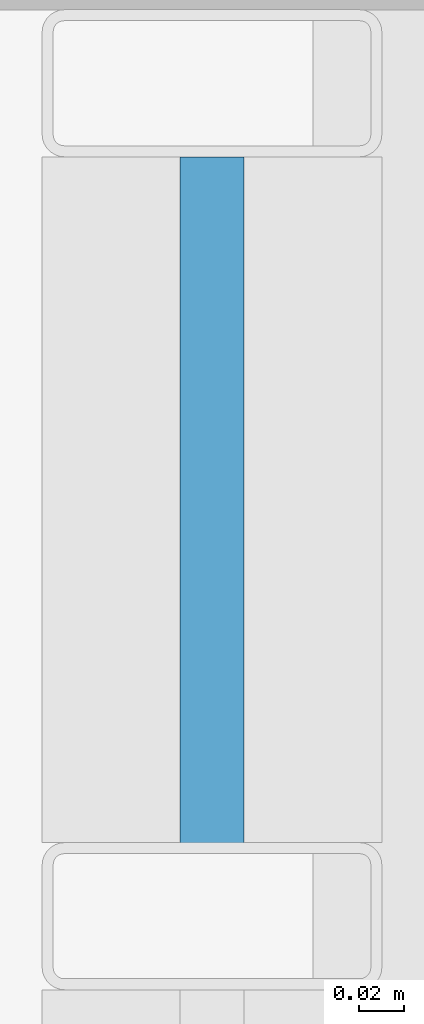
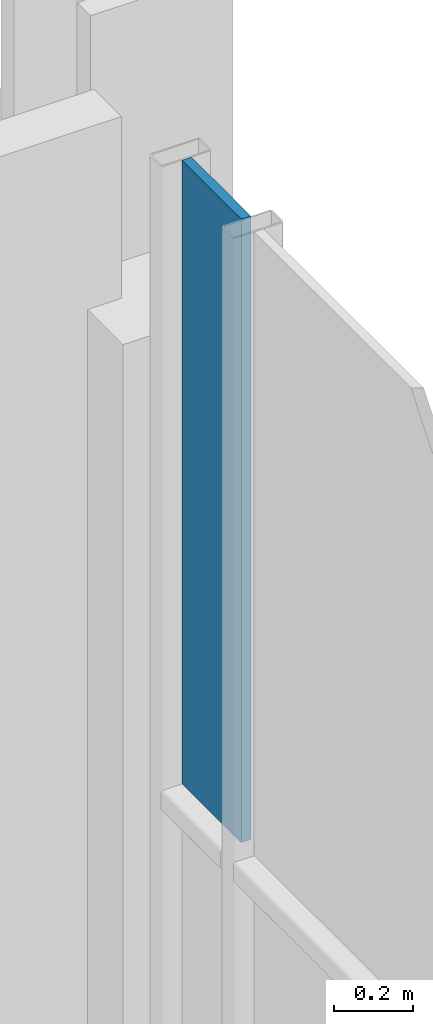
# One storey, part 28 of 41: 1 plate, 1 element without a shape of its own.
"""IFC4 building model written with IfcOpenShell, lengths in metres."""

import ifcopenshell
import ifcopenshell.guid

model = None  # the IFC model being written
_history = None  # IfcOwnerHistory: only IFC2X3 demands one
_inside = {}  # id of a spatial element -> (the spatial element, [elements in it])
_under = {}  # id of a project, library or spatial element -> (it, [spatial elements below it])
_declared = {}  # id of a project -> (the project, [libraries it declares])
_typed = {}  # id of a type object -> (the type object, [elements of that type])
_made_of = {}  # id of a material, layer set ... -> (it, [elements and type objects made of it])


def new_model(schema):
    """Start an empty IFC model of exactly this schema.

    Asked for "IFC4X3", IfcOpenShell would pick the latest addendum, in which some entities
    have other attributes; the version numbers below select the first issue.
    IFC2X3 requires an IfcOwnerHistory on every rooted entity: one is made here for all.
    """
    global model, _history
    if schema == "IFC4X3":
        model = ifcopenshell.file(schema_version=(4, 3, 0, 0))
    else:
        model = ifcopenshell.file(schema=schema)
    _inside.clear()
    _under.clear()
    _declared.clear()
    _typed.clear()
    _made_of.clear()
    _history = None
    if model.schema == "IFC2X3":
        org = make("IfcOrganization", Name="unknown")
        user = make(
            "IfcPersonAndOrganization",
            ThePerson=make("IfcPerson", FamilyName="unknown"),
            TheOrganization=org,
        )
        app = make(
            "IfcApplication",
            ApplicationDeveloper=org,
            Version="unknown",
            ApplicationFullName="unknown",
            ApplicationIdentifier="unknown",
        )
        _history = make(
            "IfcOwnerHistory",
            OwningUser=user,
            OwningApplication=app,
            ChangeAction="ADDED",
            CreationDate=0,
        )
    return model


def make(cls, **values):
    """One entity of the class cls with the attributes given. An attribute that is None is left unset."""
    return model.create_entity(
        cls, **{name: value for name, value in values.items() if value is not None}
    )


def rooted(cls, **values):
    """An entity with a GlobalId (a new one), such as an element, a storey or a relation."""
    return make(cls, GlobalId=ifcopenshell.guid.new(), OwnerHistory=_history, **values)


def si_unit(unit_type, name, prefix=None):
    """IfcSIUnit, for example si_unit("LENGTHUNIT", "METRE", prefix="MILLI")."""
    return make("IfcSIUnit", UnitType=unit_type, Prefix=prefix, Name=name)


def assignment(units):
    """IfcUnitAssignment: the units of a project."""
    return None if units is None else make("IfcUnitAssignment", Units=units)


def point(xyz):
    """IfcCartesianPoint."""
    return None if xyz is None else make("IfcCartesianPoint", Coordinates=xyz)


def direction(xyz):
    """IfcDirection."""
    return None if xyz is None else make("IfcDirection", DirectionRatios=xyz)


def frame(location, z_axis=None, x_axis=None):
    """IfcAxis2Placement3D, a coordinate frame: its origin and axes. An axis left out is left unset."""
    return make(
        "IfcAxis2Placement3D",
        Location=point(location),
        Axis=direction(z_axis),
        RefDirection=direction(x_axis),
    )


def frame_2d(location, x_axis=None):
    """IfcAxis2Placement2D, a coordinate frame in the plane: its origin and x axis."""
    return make(
        "IfcAxis2Placement2D", Location=point(location), RefDirection=direction(x_axis)
    )


def origin():
    """The frame at (0, 0, 0) with its axes left unset."""
    return frame((0.0, 0.0, 0.0))


def origin_2d():
    """The frame at (0, 0) in the plane with its x axis left unset."""
    return frame_2d((0.0, 0.0))


def place(relative_to, where):
    """IfcLocalPlacement: puts the frame where relative to a parent placement (None: the world)."""
    return make(
        "IfcLocalPlacement", PlacementRelTo=relative_to, RelativePlacement=where
    )


def context(
    kind, dimensions, precision=None, world=None, true_north=None, identifier=None
):
    """IfcGeometricRepresentationContext, for example the 3D "Model" context."""
    return make(
        "IfcGeometricRepresentationContext",
        ContextIdentifier=identifier,
        ContextType=kind,
        CoordinateSpaceDimension=dimensions,
        Precision=precision,
        WorldCoordinateSystem=world,
        TrueNorth=true_north,
    )


def subcontext(parent, identifier, kind, view, scale=None):
    """IfcGeometricRepresentationSubContext, for example "Body" below "Model"."""
    return make(
        "IfcGeometricRepresentationSubContext",
        ContextIdentifier=identifier,
        ContextType=kind,
        ParentContext=parent,
        TargetScale=scale,
        TargetView=view,
    )


def project(units=None, contexts=None):
    """IfcProject with its units and contexts."""
    return rooted(
        "IfcProject",
        Name="project",
        RepresentationContexts=contexts,
        UnitsInContext=assignment(units),
    )


def spatial(cls, under=None, at=None, **own):
    """A site, building, storey or space (cls), placed at a placement, below another one or the project."""
    s = rooted(cls, ObjectPlacement=at, **own)
    if under is not None:
        _under.setdefault(under.id(), (under, []))[1].append(s)
    return s


def profile(cls, at=None, kind="AREA", **sizes):
    """A parametric profile (cls). Its sizes go by their IFC names, for example OverallWidth=200.0."""
    return make(cls, ProfileType=kind, Position=at, **sizes)


def rectangle(**sizes):
    """IfcRectangleProfileDef."""
    return profile("IfcRectangleProfileDef", **sizes)


def extrude(swept, where, along, depth):
    """IfcExtrudedAreaSolid: the profile swept, set in the frame where, extruded along a direction by depth."""
    return make(
        "IfcExtrudedAreaSolid",
        SweptArea=swept,
        Position=where,
        ExtrudedDirection=direction(along),
        Depth=depth,
    )


def shape(context_of_items, identifier, shape_type, items):
    """IfcShapeRepresentation: the items that make up one representation, for example the "Body"."""
    return make(
        "IfcShapeRepresentation",
        ContextOfItems=context_of_items,
        RepresentationIdentifier=identifier,
        RepresentationType=shape_type,
        Items=items,
    )


def material(Name=None, Category=None):
    """IfcMaterial."""
    return make("IfcMaterial", Name=Name, Category=Category)


def layer(
    of_material, thickness, ventilated=None, Name=None, Category=None, Priority=None
):
    """IfcMaterialLayer: one layer of a wall or slab, of a material (None: an air gap)."""
    return make(
        "IfcMaterialLayer",
        Material=of_material,
        LayerThickness=thickness,
        IsVentilated=ventilated,
        Name=Name,
        Category=Category,
        Priority=Priority,
    )


def layer_set(layers, Name=None):
    """IfcMaterialLayerSet."""
    return make("IfcMaterialLayerSet", MaterialLayers=layers, LayerSetName=Name)


def made_of(thing, what):
    """Note that an element or type object is made of a material, layer set ...; save() writes the relation."""
    if what is not None:
        _made_of.setdefault(what.id(), (what, []))[1].append(thing)
    return thing


def type_object(cls, material=None, **own):
    """A type object (cls), such as IfcWallType, which elements share."""
    return made_of(rooted(cls, **own), material)


def element(
    cls,
    number,
    at=None,
    inside=None,
    cuts=None,
    type_object=None,
    material=None,
    context=None,
    identifier="Body",
    shape_type=None,
    held_by="IfcProductDefinitionShape",
    body=None,
    shapes=None,
    **own,
):
    """One element of the class cls, such as IfcWall. Its Tag is "e" and its number.

    at: its placement. inside: the storey or other place that contains it. cuts: it is an
    opening in that element (IfcRelVoidsElement). A single representation is given by context,
    identifier, shape_type and body (its items); several are given by shapes. held_by: the class
    of the entity that holds the representations. save() writes the other relations.
    """
    e = rooted(cls, Tag="e%d" % number, ObjectPlacement=at, **own)
    if body is not None:
        shapes = [shape(context, identifier, shape_type, body)]
    if shapes is not None:
        e.Representation = make(held_by, Representations=shapes)
    if inside is not None:
        _inside.setdefault(inside.id(), (inside, []))[1].append(e)
    if cuts is not None:
        rooted(
            "IfcRelVoidsElement", RelatingBuildingElement=cuts, RelatedOpeningElement=e
        )
    if type_object is not None:
        _typed.setdefault(type_object.id(), (type_object, []))[1].append(e)
    return made_of(e, material)


def aggregate(whole, parts):
    """IfcRelAggregates: a whole, such as a stair, and the parts it consists of."""
    return rooted("IfcRelAggregates", RelatingObject=whole, RelatedObjects=parts)


def save(model, path):
    """Write the relations noted so far, then the file.

    IfcRelAggregates (storeys below a building ...), IfcRelContainedInSpatialStructure (elements
    in a storey), IfcRelDefinesByType, IfcRelAssociatesMaterial and IfcRelDeclares: one each for
    every whole, place, type object, material and project.
    """
    for whole, parts in _under.values():
        aggregate(whole, parts)
    for where, things in _inside.values():
        rooted(
            "IfcRelContainedInSpatialStructure",
            RelatedElements=things,
            RelatingStructure=where,
        )
    for kind, things in _typed.values():
        rooted("IfcRelDefinesByType", RelatedObjects=things, RelatingType=kind)
    for what, things in _made_of.values():
        rooted("IfcRelAssociatesMaterial", RelatedObjects=things, RelatingMaterial=what)
    for by, libraries in _declared.values():
        rooted("IfcRelDeclares", RelatingContext=by, RelatedDefinitions=libraries)
    model.write(path)


model = new_model("IFC4")

# Units and contexts
model_context = context("Model", 3, precision=1e-05, world=origin(), true_north=direction((0.0, 1.0)))
body_context = subcontext(model_context, "Body", "Model", "MODEL_VIEW")
ifc_project = project(units=[si_unit("LENGTHUNIT", "METRE"), si_unit("AREAUNIT", "SQUARE_METRE"), si_unit("VOLUMEUNIT", "CUBIC_METRE"), si_unit("PLANEANGLEUNIT", "RADIAN"), si_unit("MASSUNIT", "GRAM", prefix="KILO")], contexts=[model_context])

# Site, building, storey
site_placement = place(None, origin())
site = spatial("IfcSite", under=ifc_project, at=site_placement, CompositionType="ELEMENT")
building_placement = place(site_placement, origin())
building = spatial("IfcBuilding", under=site, at=building_placement, Name="Brevholm Reach", CompositionType="ELEMENT")
storey_placement = place(building_placement, frame((0.0, 0.0, 74.5)))
storey = spatial("IfcBuildingStorey", under=building, at=storey_placement, Name="L21", CompositionType="ELEMENT", Elevation=74.5)

# Curtain wall, plate
ifc_material_1 = material(Name="Dark Anodised Aluminium 6063-T6 and Solar-Control Glass", Category="aluminium")
ifc_layer_1 = layer(ifc_material_1, 0.14990234375)
ifc_layer_set_1 = layer_set([ifc_layer_1], Name="Dark Anodised Aluminium 6063-T6 and Solar-Control Glass")
curtain_wall_type = type_object("IfcCurtainWallType", Name="CW-01", PredefinedType="NOTDEFINED", material=ifc_layer_set_1)
curtain_wall_placement = place(storey_placement, origin())
curtain_wall = element("IfcCurtainWall", 1, at=curtain_wall_placement, inside=storey, type_object=curtain_wall_type, Name="L21 Curtain Wall CW-01", PredefinedType="NOTDEFINED")
ifc_material_2 = material(Name="Dark Solar-Control Double-Glazed IGU Glass", Category="glass")
ifc_layer_2 = layer(ifc_material_2, 0.028076171875)
ifc_layer_set_2 = layer_set([ifc_layer_2], Name="Dark Solar-Control Double-Glazed IGU Glass")
plate_type = type_object("IfcPlateType", Name="CWP-GLZ-28", PredefinedType="CURTAIN_PANEL", material=ifc_layer_set_2)
plate_placement = place(storey_placement, frame((59.85009765625, 22.733642578125, 0.9326171875), z_axis=(0.0, 0.0, 1.0), x_axis=(0.0, 1.0, 0.0)))
plate = element("IfcPlate", 2, at=plate_placement, type_object=plate_type, Name="CP-01 Glazing Panel 5.2", PredefinedType="CURTAIN_PANEL", context=body_context, shape_type="SweptSolid", body=[
    extrude(rectangle(XDim=0.302490234375, YDim=0.028076171875, at=origin_2d()), origin(), (0.0, 0.0, 1.0), 1.9375),
])
aggregate(curtain_wall, [plate])

save(model, "model.ifc")
